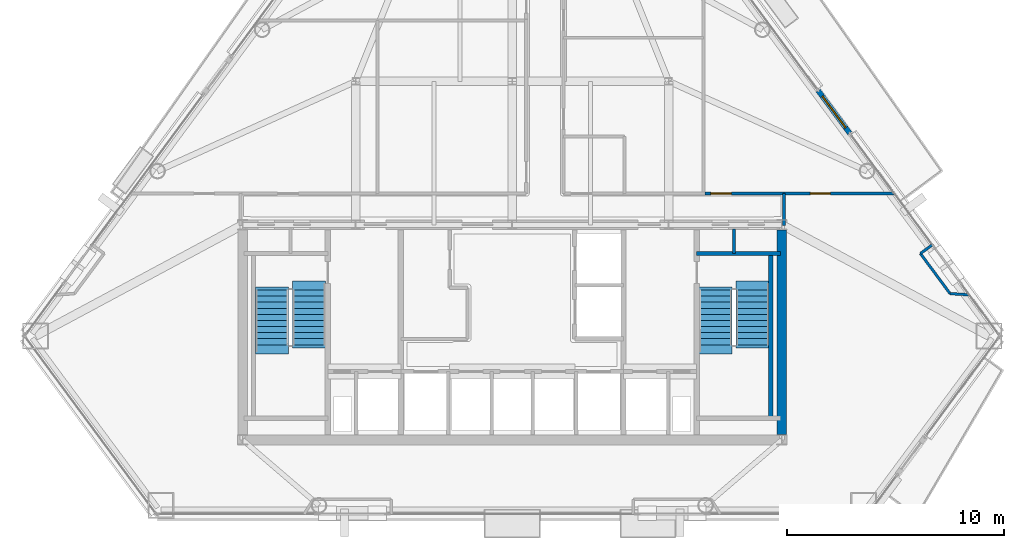
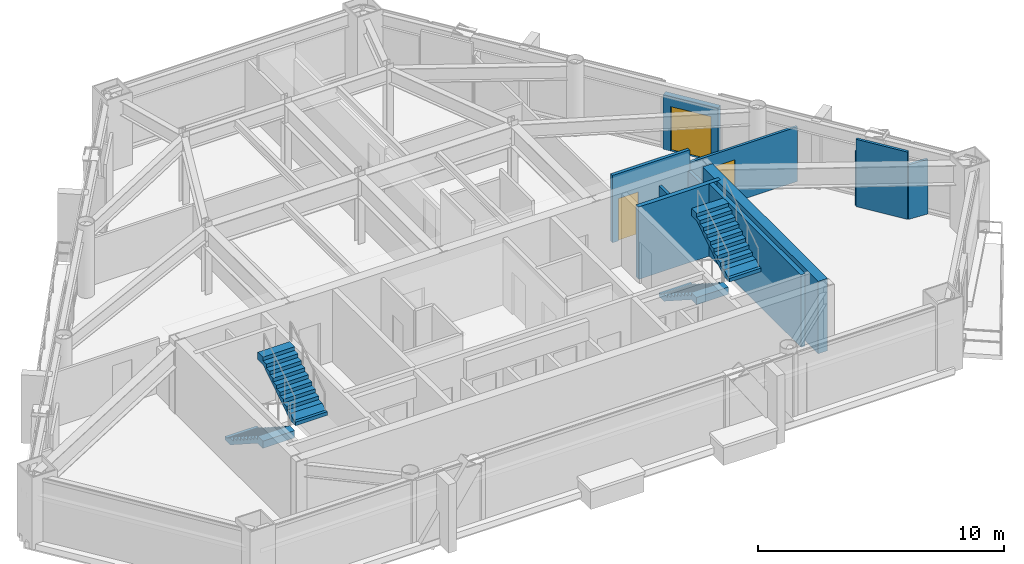
# One storey, part 9 of 11: 11 walls, 4 stair flights, 3 doors, 3 openings, 2 elements without a shape of their own.
"""IFC4 building model written with IfcOpenShell, lengths in metres."""

from ifc_helpers import new_model, si_unit, direction, frame, frame_2d, origin, place, context, subcontext, project, spatial, polyline, rectangle, outline, extrude, material, layer, layer_set, type_object, element, fill, aggregate, save


model = new_model("IFC4")

# Units and contexts
model_context = context("Model", 3, precision=1e-05, world=origin(), true_north=direction((0.0, 1.0)))
body_context = subcontext(model_context, "Body", "Model", "MODEL_VIEW")
ifc_project = project(units=[si_unit("LENGTHUNIT", "METRE"), si_unit("AREAUNIT", "SQUARE_METRE"), si_unit("VOLUMEUNIT", "CUBIC_METRE"), si_unit("PLANEANGLEUNIT", "RADIAN"), si_unit("MASSUNIT", "GRAM", prefix="KILO")], contexts=[model_context])

# Site, building, storey
site_placement = place(None, origin())
site = spatial("IfcSite", under=ifc_project, at=site_placement, CompositionType="ELEMENT")
building_placement = place(site_placement, origin())
building = spatial("IfcBuilding", under=site, at=building_placement, Name="Talgorran Terracotta Tower", CompositionType="ELEMENT")
storey_placement = place(building_placement, frame((0.0, 0.0, 103.199951171875)))
storey = spatial("IfcBuildingStorey", under=building, at=storey_placement, Name="L26", CompositionType="ELEMENT", Elevation=103.199951171875)

# Wall, opening, door
ifc_material_1 = material(Name="Concrete C40/50", Category="concrete")
ifc_layer_1 = layer(ifc_material_1, 0.239990234375, Name="WT_BALCONY_SPAND")
ifc_layer_set_1 = layer_set([ifc_layer_1], Name="Concrete C40/50")
wall_type_1 = type_object("IfcWallType", Name="WT_BALCONY_SPAND", PredefinedType="STANDARD", material=ifc_layer_set_1)
wall_1_placement = place(storey_placement, frame((15.52978515625, 0.010009765625, -0.014892578125), z_axis=(0.0, 0.0, 1.0), x_axis=(-0.594897308784, 0.803801711868, 0.0)))
wall_1 = element("IfcWall", 1, at=wall_1_placement, inside=storey, type_object=wall_type_1, Name="WL-L26-BALP-BAL-NE", PredefinedType="STANDARD", context=body_context, shape_type="SweptSolid", body=[
    extrude(rectangle(XDim=2.440185546875, YDim=0.239990234375, at=frame_2d((1.22021484375, 0.0))), origin(), (0.0, 0.0, 1.0), 2.728271484375),
])
opening_1_placement = place(wall_1_placement, frame((0.320068359375, 0.0, 0.014892578125)))
opening_1 = element("IfcOpeningElement", 2, at=opening_1_placement, cuts=wall_1, Name="Opening D-BAL-L26-1", PredefinedType="OPENING", context=body_context, shape_type="SweptSolid", body=[
    extrude(rectangle(XDim=1.806048828125, YDim=2.203951171875, at=frame_2d((0.89990234375, 1.10205078125))), frame((0.0, 0.1298828125, 0.0), z_axis=(0.0, -1.0, 0.0), x_axis=(1.0, 0.0, 0.0)), (0.0, 0.0, 1.0), 0.260009765625),
])
ifc_material_2 = material(Name="Thermally Broken Aluminium", Category="aluminium")
door_type_1 = type_object("IfcDoorType", Name="DT_BALC_1800", OperationType="SLIDING_TO_LEFT", PredefinedType="DOOR", material=ifc_material_2)
door_1_placement = place(opening_1_placement, origin())
door_1 = element("IfcDoor", 3, at=door_1_placement, inside=storey, type_object=door_type_1, Name="DR-L26-BAL-BAL-NE", OperationType="SLIDING_TO_LEFT", OverallHeight=2.199951171875, OverallWidth=1.800048828125, PredefinedType="DOOR", context=body_context, shape_type="SweptSolid", body=[
    extrude(rectangle(XDim=1.800048828125, YDim=2.199951171875, at=frame_2d((0.89990234375, 1.10009765625))), frame((0.0, 0.02490234375, 0.0), z_axis=(0.0, -1.0, 0.0), x_axis=(1.0, 0.0, 0.0)), (0.0, 0.0, 1.0), 0.050048828125),
])
fill(opening_1, door_1)

# Walls
ifc_material_3 = material(Name="Concrete C50/60", Category="concrete")
ifc_layer_2 = layer(ifc_material_3, 0.199951171875, Name="WT_CORE_200")
ifc_layer_set_2 = layer_set([ifc_layer_2], Name="Concrete C50/60")
wall_type_2 = type_object("IfcWallType", Name="WT_CORE_200", PredefinedType="SOLIDWALL", material=ifc_layer_set_2)
wall_2_placement = place(storey_placement, frame((8.47998046875, -5.52001953125, 0.0), z_axis=(0.0, 0.0, 1.0), x_axis=(1.0, 0.0, 0.0)))
element("IfcWall", 4, at=wall_2_placement, inside=storey, type_object=wall_type_2, Name="WL-L26-CW-ST2-N", PredefinedType="SOLIDWALL", context=body_context, shape_type="SweptSolid", body=[
    extrude(rectangle(XDim=3.8701171875, YDim=0.199951171875, at=frame_2d((1.93505859375, 0.0))), origin(), (0.0, 0.0, 1.0), 3.60009765625),
])
wall_3_placement = place(storey_placement, frame((11.89990234375, -13.10009765625, 0.0), z_axis=(0.0, 0.0, 1.0), x_axis=(0.0, 1.0, 0.0)))
element("IfcWall", 5, at=wall_3_placement, inside=storey, type_object=wall_type_2, Name="WL-L26-CW-ST2-E", PredefinedType="SOLIDWALL", context=body_context, shape_type="SweptSolid", body=[
    extrude(rectangle(XDim=7.580078125, YDim=0.199951171875, at=frame_2d((3.7900390625, 0.0))), origin(), (0.0, 0.0, 1.0), 3.60009765625),
])
ifc_material_4 = material(Name="Concrete C65/80", Category="concrete")
ifc_layer_3 = layer(ifc_material_4, 0.449951171875, Name="WT_CORE_EXT")
ifc_layer_set_3 = layer_set([ifc_layer_3], Name="Concrete C65/80")
wall_type_3 = type_object("IfcWallType", Name="WT_CORE_EXT", PredefinedType="SHEAR", material=ifc_layer_set_3)
wall_4_placement = place(storey_placement, frame((12.39990234375, -13.85009765625, 0.0), z_axis=(0.0, 0.0, 1.0), x_axis=(0.0, 1.0, 0.0)))
element("IfcWall", 6, at=wall_4_placement, inside=storey, type_object=wall_type_3, Name="WL-L26-CW-OUT-E", PredefinedType="SHEAR", context=body_context, shape_type="SweptSolid", body=[
    extrude(rectangle(XDim=9.400146484375, YDim=0.449951171875, at=frame_2d((4.7001953125, 0.0))), origin(), (0.0, 0.0, 1.0), 3.60009765625),
])

# Wall, opening, door
ifc_material_5 = material(Name="Fire-Rated Steel Stud Plasterboard", Category="steel")
ifc_layer_4 = layer(ifc_material_5, 0.14990234375, Name="WT_FIRE_150")
ifc_layer_set_4 = layer_set([ifc_layer_4], Name="Fire-Rated Steel Stud Plasterboard")
wall_type_4 = type_object("IfcWallType", Name="WT_FIRE_150", PredefinedType="PARTITIONING", material=ifc_layer_set_4)
wall_5_placement = place(storey_placement, frame((8.862060546875, -2.760009765625, 0.0), z_axis=(0.0, 0.0, 1.0), x_axis=(1.0, 0.0, 0.0)))
wall_5 = element("IfcWall", 7, at=wall_5_placement, inside=storey, type_object=wall_type_4, Name="WL-L26-W-L26-R12", PredefinedType="PARTITIONING", context=body_context, shape_type="SweptSolid", body=[
    extrude(rectangle(XDim=3.637939453125, YDim=0.14990234375, at=frame_2d((1.81884765625, 0.0))), origin(), (0.0, 0.0, 1.0), 3.35009765625),
])
opening_2_placement = place(wall_5_placement, frame((0.27490234375, 0.0, 0.0)))
opening_2 = element("IfcOpeningElement", 8, at=opening_2_placement, cuts=wall_5, Name="Opening DR-L26-R07", PredefinedType="OPENING", context=body_context, shape_type="SweptSolid", body=[
    extrude(rectangle(XDim=0.955951171875, YDim=2.10409765625, at=frame_2d((0.47509765625, 1.052001953125))), frame((0.0, 0.0849609375, 0.0), z_axis=(0.0, -1.0, 0.0), x_axis=(1.0, 0.0, 0.0)), (0.0, 0.0, 1.0), 0.169921875),
])
ifc_material_6 = material(Name="Fire-Rated Timber Core", Category="wood")
door_type_2 = type_object("IfcDoorType", Name="DT_FIRE_950", OperationType="NOTDEFINED", PredefinedType="DOOR", material=ifc_material_6)
door_2_placement = place(opening_2_placement, origin())
door_2 = element("IfcDoor", 9, at=door_2_placement, inside=storey, type_object=door_type_2, Name="DR-L26-R07", OperationType="SINGLE_SWING_LEFT", OverallHeight=2.10009765625, OverallWidth=0.949951171875, PredefinedType="DOOR", context=body_context, shape_type="SweptSolid", body=[
    extrude(rectangle(XDim=0.949951171875, YDim=2.10009765625, at=frame_2d((0.47509765625, 1.050048828125))), frame((0.0, 0.02490234375, 0.0), z_axis=(0.0, -1.0, 0.0), x_axis=(1.0, 0.0, 0.0)), (0.0, 0.0, 1.0), 0.050048828125),
])
fill(opening_2, door_2)

# Walls
wall_6_placement = place(storey_placement, frame((12.5, -4.239990234375, 0.0), z_axis=(0.0, 0.0, 1.0), x_axis=(0.0, 1.0, 0.0)))
element("IfcWall", 10, at=wall_6_placement, inside=storey, type_object=wall_type_4, Name="WL-L26-W-L26-R14", PredefinedType="PARTITIONING", context=body_context, shape_type="SweptSolid", body=[
    extrude(rectangle(XDim=1.47998046875, YDim=0.14990234375, at=frame_2d((0.739990234375, 0.0))), origin(), (0.0, 0.0, 1.0), 2.324951171875),
])
ifc_material_7 = material(Name="Insulated Steel Stud Plasterboard", Category="steel")
ifc_layer_5 = layer(ifc_material_7, 0.1201171875, Name="WT_PART_120")
ifc_layer_set_5 = layer_set([ifc_layer_5], Name="Insulated Steel Stud Plasterboard")
wall_type_5 = type_object("IfcWallType", Name="WT_PART_120", PredefinedType="PARTITIONING", material=ifc_layer_set_5)
wall_7_placement = place(storey_placement, frame((10.199951171875, -5.52001953125, 0.0), z_axis=(0.0, 0.0, 1.0), x_axis=(0.0, 1.0, 0.0)))
element("IfcWall", 11, at=wall_7_placement, inside=storey, type_object=wall_type_5, Name="WL-L26-CW-CSE-DIV", PredefinedType="PARTITIONING", context=body_context, shape_type="SweptSolid", body=[
    extrude(rectangle(XDim=1.1201171875, YDim=0.1201171875, at=frame_2d((0.56005859375, 0.0))), origin(), (0.0, 0.0, 1.0), 3.35009765625),
])

# Wall, opening, door
wall_8_placement = place(storey_placement, frame((12.43994140625, -2.760009765625, 0.0), z_axis=(0.0, 0.0, 1.0), x_axis=(1.0, 0.0, 0.0)))
wall_8 = element("IfcWall", 12, at=wall_8_placement, inside=storey, type_object=wall_type_5, Name="WL-L26-W-L26-R24", PredefinedType="PARTITIONING", context=body_context, shape_type="SweptSolid", body=[
    extrude(rectangle(XDim=5.139892578125, YDim=0.1201171875, at=frame_2d((2.56982421875, 0.0))), origin(), (0.0, 0.0, 1.0), 2.71337890625),
])
opening_3_placement = place(wall_8_placement, frame((1.280029296875, 0.0, 0.0)))
opening_3 = element("IfcOpeningElement", 13, at=opening_3_placement, cuts=wall_8, Name="Opening DR-L26-R09", PredefinedType="OPENING", context=body_context, shape_type="SweptSolid", body=[
    extrude(rectangle(XDim=0.925921875, YDim=2.10409765625, at=frame_2d((0.4599609375, 1.052001953125))), frame((0.0, 0.070068359375, 0.0), z_axis=(0.0, -1.0, 0.0), x_axis=(1.0, 0.0, 0.0)), (0.0, 0.0, 1.0), 0.14013671875),
])
ifc_material_8 = material(Name="Solid-Core Painted Timber", Category="wood")
door_type_3 = type_object("IfcDoorType", Name="DT_INT_920", OperationType="NOTDEFINED", PredefinedType="DOOR", material=ifc_material_8)
door_3_placement = place(opening_3_placement, origin())
door_3 = element("IfcDoor", 14, at=door_3_placement, inside=storey, type_object=door_type_3, Name="DR-L26-R09", OperationType="SINGLE_SWING_LEFT", OverallHeight=2.10009765625, OverallWidth=0.919921875, PredefinedType="DOOR", context=body_context, shape_type="SweptSolid", body=[
    extrude(rectangle(XDim=0.919921875, YDim=2.10009765625, at=frame_2d((0.4599609375, 1.050048828125))), frame((0.0, 0.02490234375, 0.0), z_axis=(0.0, -1.0, 0.0), x_axis=(1.0, 0.0, 0.0)), (0.0, 0.0, 1.0), 0.050048828125),
])
fill(opening_3, door_3)

# Walls
wall_9_placement = place(storey_placement, frame((20.144287109375, -7.367919921875, 0.0), z_axis=(0.0, 0.0, 1.0), x_axis=(-0.594863630048, 0.803826636561, 0.0)))
element("IfcWall", 15, at=wall_9_placement, inside=storey, type_object=wall_type_5, Name="WL-L26-BW-L26-13", PredefinedType="PARTITIONING", context=body_context, shape_type="SweptSolid", body=[
    extrude(rectangle(XDim=2.294677734375, YDim=0.1201171875, at=frame_2d((1.1474609375, 0.0))), origin(), (0.0, 0.0, 1.0), 3.35009765625),
])
wall_10_placement = place(storey_placement, frame((21.016845703125, -7.42041015625, 0.0), z_axis=(0.0, 0.0, 1.0), x_axis=(-0.998195482696, 0.060048133402, 0.0)))
element("IfcWall", 16, at=wall_10_placement, inside=storey, type_object=wall_type_5, Name="WL-L26-BW-L26-12", PredefinedType="PARTITIONING", context=body_context, shape_type="SweptSolid", body=[
    extrude(rectangle(XDim=0.8740234375, YDim=0.1201171875, at=frame_2d((0.43701171875, 0.0))), origin(), (0.0, 0.0, 1.0), 2.71337890625),
])
wall_11_placement = place(storey_placement, frame((18.779296875, -5.523681640625, 0.0), z_axis=(0.0, 0.0, 1.0), x_axis=(0.803744328022, 0.594974835748, 0.0)))
element("IfcWall", 17, at=wall_11_placement, inside=storey, type_object=wall_type_5, Name="WL-L26-BW-L26-11", PredefinedType="PARTITIONING", context=body_context, shape_type="SweptSolid", body=[
    extrude(rectangle(XDim=0.670166015625, YDim=0.1201171875, at=frame_2d((0.3349609375, 0.0))), origin(), (0.0, 0.0, 1.0), 2.71337890625),
])

# Stair, stair flights
stair_type = type_object("IfcStairType", Name="ST_FIRE_SCISSOR", PredefinedType="HALF_TURN_STAIR", material=ifc_material_1)
stair_1_placement = place(storey_placement, origin())
stair_1 = element("IfcStair", 18, at=stair_1_placement, inside=storey, type_object=stair_type, Name="L26 West Protected Fire Stair ST-01", PredefinedType="HALF_TURN_STAIR")
ifc_layer_6 = layer(ifc_material_1, 0.179931640625, Name="STF_RC_1500")
ifc_layer_set_6 = layer_set([ifc_layer_6], Name="Concrete C40/50")
stair_flight_type = type_object("IfcStairFlightType", Name="STF_RC_1500", PredefinedType="STRAIGHT", material=ifc_layer_set_6)
stair_flight_1_placement = place(storey_placement, frame((-11.050048828125, -7.199951171875, 0.0), z_axis=(0.0, 0.0, 1.0), x_axis=(0.0, -1.0, 0.0)))
stair_flight_1 = element("IfcStairFlight", 19, at=stair_flight_1_placement, type_object=stair_flight_type, Name="ST-01 flight 1", NumberOfRisers=10, NumberOfTreads=9, PredefinedType="STRAIGHT", RiserHeight=0.18, TreadLength=0.28, context=body_context, shape_type="SweptSolid", body=[
    extrude(outline(polyline([(-0.139892578125, 0.0), (-0.139892578125, 0.179931640625), (0.0, 0.179931640625), (0.280029296875, 0.360107421875), (0.56005859375, 0.360107421875), (0.56005859375, 0.5400390625), (0.840087890625, 0.5400390625), (0.840087890625, 0.719970703125), (1.1201171875, 0.719970703125), (1.1201171875, 0.89990234375), (1.39990234375, 0.89990234375), (1.39990234375, 1.080078125), (1.679931640625, 1.080078125), (1.679931640625, 1.260009765625), (1.9599609375, 1.260009765625), (1.9599609375, 1.43994140625), (2.239990234375, 1.43994140625), (2.239990234375, 1.6201171875), (2.52001953125, 1.6201171875), (2.52001953125, 1.800048828125), (2.93994140625, 1.800048828125), (2.93994140625, 1.44189453125), (2.52001953125, 1.44189453125), (0.277099609375, 0.0), (-0.139892578125, 0.0)])), frame((0.0, 0.75, 0.0), z_axis=(0.0, -1.0, 0.0), x_axis=(1.0, 0.0, 0.0)), (0.0, 0.0, 1.0), 1.5),
])
stair_flight_2_placement = place(storey_placement, frame((-9.35009765625, -9.719970703125, 1.800048828125), z_axis=(0.0, 0.0, 1.0), x_axis=(0.0, 1.0, 0.0)))
stair_flight_2 = element("IfcStairFlight", 20, at=stair_flight_2_placement, type_object=stair_flight_type, Name="ST-01 flight 2", NumberOfRisers=10, NumberOfTreads=9, PredefinedType="STRAIGHT", RiserHeight=0.18, TreadLength=0.28, context=body_context, shape_type="SweptSolid", body=[
    extrude(outline(polyline([(-0.139892578125, 0.0), (-0.139892578125, 0.179931640625), (0.0, 0.179931640625), (0.280029296875, 0.360107421875), (0.56005859375, 0.360107421875), (0.56005859375, 0.5400390625), (0.840087890625, 0.5400390625), (0.840087890625, 0.719970703125), (1.1201171875, 0.719970703125), (1.1201171875, 0.89990234375), (1.39990234375, 0.89990234375), (1.39990234375, 1.080078125), (1.679931640625, 1.080078125), (1.679931640625, 1.260009765625), (1.9599609375, 1.260009765625), (1.9599609375, 1.43994140625), (2.239990234375, 1.43994140625), (2.239990234375, 1.6201171875), (2.52001953125, 1.6201171875), (2.52001953125, 1.800048828125), (2.93994140625, 1.800048828125), (2.93994140625, 1.44189453125), (2.52001953125, 1.44189453125), (0.277099609375, 0.0), (-0.139892578125, 0.0)])), frame((0.0, 0.75, 0.0), z_axis=(0.0, -1.0, 0.0), x_axis=(1.0, 0.0, 0.0)), (0.0, 0.0, 1.0), 1.5),
])
aggregate(stair_1, [stair_flight_1, stair_flight_2])

stair_2_placement = place(storey_placement, origin())
stair_2 = element("IfcStair", 21, at=stair_2_placement, inside=storey, type_object=stair_type, Name="L26 East Protected Fire Stair ST-02", PredefinedType="HALF_TURN_STAIR")
stair_flight_3_placement = place(storey_placement, frame((9.35009765625, -7.199951171875, 0.0), z_axis=(0.0, 0.0, 1.0), x_axis=(0.0, -1.0, 0.0)))
stair_flight_3 = element("IfcStairFlight", 22, at=stair_flight_3_placement, type_object=stair_flight_type, Name="ST-02 flight 1", NumberOfRisers=10, NumberOfTreads=9, PredefinedType="STRAIGHT", RiserHeight=0.18, TreadLength=0.28, context=body_context, shape_type="SweptSolid", body=[
    extrude(outline(polyline([(-0.139892578125, 0.0), (-0.139892578125, 0.179931640625), (0.0, 0.179931640625), (0.280029296875, 0.360107421875), (0.56005859375, 0.360107421875), (0.56005859375, 0.5400390625), (0.840087890625, 0.5400390625), (0.840087890625, 0.719970703125), (1.1201171875, 0.719970703125), (1.1201171875, 0.89990234375), (1.39990234375, 0.89990234375), (1.39990234375, 1.080078125), (1.679931640625, 1.080078125), (1.679931640625, 1.260009765625), (1.9599609375, 1.260009765625), (1.9599609375, 1.43994140625), (2.239990234375, 1.43994140625), (2.239990234375, 1.6201171875), (2.52001953125, 1.6201171875), (2.52001953125, 1.800048828125), (2.93994140625, 1.800048828125), (2.93994140625, 1.44189453125), (2.52001953125, 1.44189453125), (0.277099609375, 0.0), (-0.139892578125, 0.0)])), frame((0.0, 0.75, 0.0), z_axis=(0.0, -1.0, 0.0), x_axis=(1.0, 0.0, 0.0)), (0.0, 0.0, 1.0), 1.5),
])
stair_flight_4_placement = place(storey_placement, frame((11.050048828125, -9.719970703125, 1.800048828125), z_axis=(0.0, 0.0, 1.0), x_axis=(0.0, 1.0, 0.0)))
stair_flight_4 = element("IfcStairFlight", 23, at=stair_flight_4_placement, type_object=stair_flight_type, Name="ST-02 flight 2", NumberOfRisers=10, NumberOfTreads=9, PredefinedType="STRAIGHT", RiserHeight=0.18, TreadLength=0.28, context=body_context, shape_type="SweptSolid", body=[
    extrude(outline(polyline([(-0.139892578125, 0.0), (-0.139892578125, 0.179931640625), (0.0, 0.179931640625), (0.280029296875, 0.360107421875), (0.56005859375, 0.360107421875), (0.56005859375, 0.5400390625), (0.840087890625, 0.5400390625), (0.840087890625, 0.719970703125), (1.1201171875, 0.719970703125), (1.1201171875, 0.89990234375), (1.39990234375, 0.89990234375), (1.39990234375, 1.080078125), (1.679931640625, 1.080078125), (1.679931640625, 1.260009765625), (1.9599609375, 1.260009765625), (1.9599609375, 1.43994140625), (2.239990234375, 1.43994140625), (2.239990234375, 1.6201171875), (2.52001953125, 1.6201171875), (2.52001953125, 1.800048828125), (2.93994140625, 1.800048828125), (2.93994140625, 1.44189453125), (2.52001953125, 1.44189453125), (0.277099609375, 0.0), (-0.139892578125, 0.0)])), frame((0.0, 0.75, 0.0), z_axis=(0.0, -1.0, 0.0), x_axis=(1.0, 0.0, 0.0)), (0.0, 0.0, 1.0), 1.5),
])
aggregate(stair_2, [stair_flight_3, stair_flight_4])

save(model, "model.ifc")
